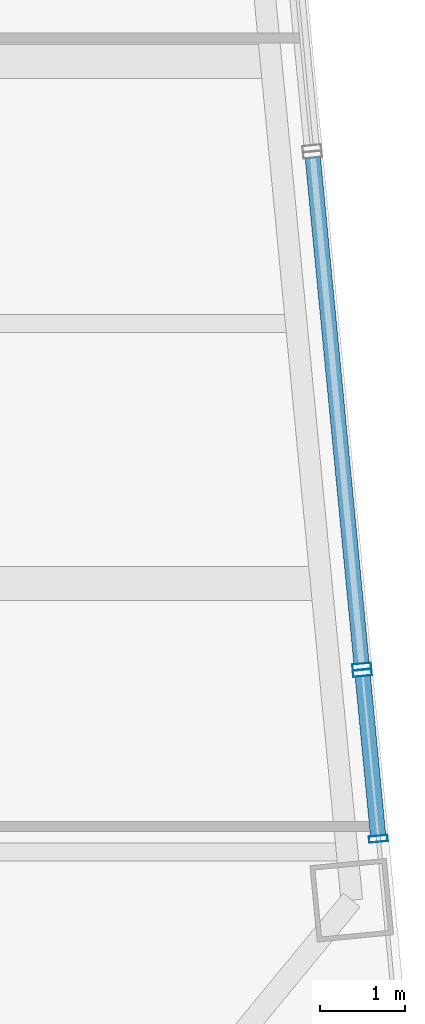
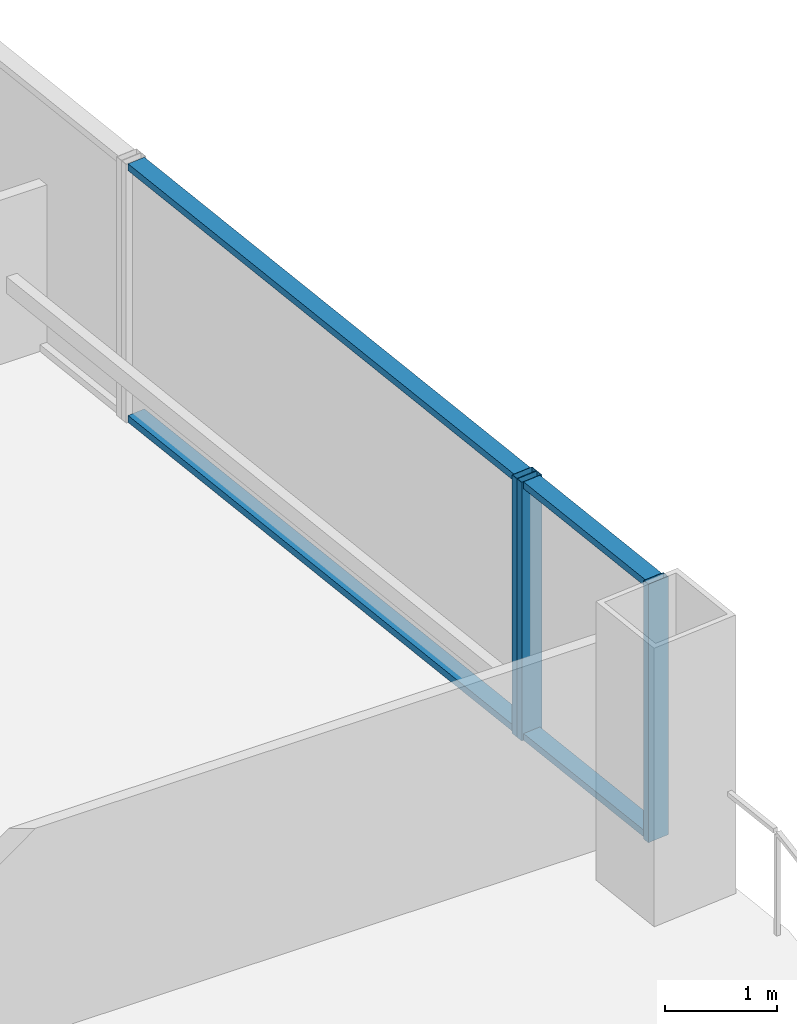
# One storey, part 15 of 34: 7 members, 2 elements without a shape of their own.
"""IFC4 building model written with IfcOpenShell, lengths in metres."""

from ifc_helpers import new_model, si_unit, direction, frame, origin, origin_2d, place, context, subcontext, project, spatial, hollow_rectangle, extrude, material, layer, layer_set, material_profile, profile_set, type_object, element, aggregate, save


model = new_model("IFC4")

# Units and contexts
model_context = context("Model", 3, precision=1e-05, world=origin(), true_north=direction((0.0, 1.0)))
body_context = subcontext(model_context, "Body", "Model", "MODEL_VIEW")
ifc_project = project(units=[si_unit("LENGTHUNIT", "METRE"), si_unit("AREAUNIT", "SQUARE_METRE"), si_unit("VOLUMEUNIT", "CUBIC_METRE"), si_unit("PLANEANGLEUNIT", "RADIAN"), si_unit("MASSUNIT", "GRAM", prefix="KILO")], contexts=[model_context])

# Site, building, storey
site_placement = place(None, origin())
site = spatial("IfcSite", under=ifc_project, at=site_placement, CompositionType="ELEMENT")
building_placement = place(site_placement, origin())
building = spatial("IfcBuilding", under=site, at=building_placement, Name="Qhalaya Broadcast Tower", CompositionType="ELEMENT")
storey_placement = place(building_placement, frame((0.0, 0.0, 78.60009765625)))
storey = spatial("IfcBuildingStorey", under=building, at=storey_placement, Name="L22", CompositionType="ELEMENT", Elevation=78.60009765625)

# Curtain wall, members
ifc_material_1 = material(Name="Solar-Control Low-E Triple Glazing", Category="glass")
ifc_layer_1 = layer(ifc_material_1, 0.219970703125, Name="Solar-Control Low-E Triple Glazing")
ifc_layer_set_1 = layer_set([ifc_layer_1], Name="Solar-Control Low-E Triple Glazing")
curtain_wall_type_1 = type_object("IfcCurtainWallType", Name="Even-Block 4-Storey Double-Module Curtain Wall CW-03", PredefinedType="NOTDEFINED", material=ifc_layer_set_1)
curtain_wall_1_placement = place(storey_placement, origin())
curtain_wall_1 = element("IfcCurtainWall", 1, at=curtain_wall_1_placement, inside=storey, type_object=curtain_wall_type_1, Name="L22 Unitised Curtain Wall L22-CW-E1", PredefinedType="NOTDEFINED")
ifc_material_2 = material(Name="Anodised Aluminium 6063-T6", Category="aluminium")
ifc_material_profile_1 = material_profile(ifc_material_2, hollow_rectangle(XDim=0.074951171875, YDim=0.219970703125, WallThickness=0.00390625, at=origin_2d()), Name="ALU-MUL 75x220x4")
ifc_profile_set_1 = profile_set([ifc_material_profile_1], Name="Anodised Aluminium 6063-T6")
member_type_1 = type_object("IfcMemberType", Name="Unitised Curtain-Wall Mullion M01", PredefinedType="MULLION", material=ifc_profile_set_1)
member_1_placement = place(storey_placement, frame((29.60498046875, -11.74462890625, 0.0), z_axis=(0.0, 0.0, 1.0), x_axis=(-0.095857964978, 0.995395022366, 0.0)))
member_1 = element("IfcMember", 2, at=member_1_placement, type_object=member_type_1, Name="CW-03 mullion 1", PredefinedType="MULLION", context=body_context, shape_type="SweptSolid", body=[
    extrude(hollow_rectangle(XDim=0.074951171875, YDim=0.219970703125, WallThickness=0.00390625, at=origin_2d()), origin(), (0.0, 0.0, 1.0), 2.829833984375),
])
member_2_placement = place(storey_placement, frame((29.417724609375, -9.799560546875, 0.0), z_axis=(0.0, 0.0, 1.0), x_axis=(-0.095857964978, 0.995395022366, 0.0)))
member_2 = element("IfcMember", 3, at=member_2_placement, type_object=member_type_1, Name="CW-03 mullion 2", PredefinedType="MULLION", context=body_context, shape_type="SweptSolid", body=[
    extrude(hollow_rectangle(XDim=0.074951171875, YDim=0.219970703125, WallThickness=0.00390625, at=origin_2d()), origin(), (0.0, 0.0, 1.0), 2.829833984375),
])

# Curtain wall, member
ifc_material_3 = material(Name="Fired Architectural Terracotta", Category="masonry")
ifc_layer_2 = layer(ifc_material_3, 0.219970703125, Name="Fired Architectural Terracotta")
ifc_layer_set_2 = layer_set([ifc_layer_2], Name="Fired Architectural Terracotta")
curtain_wall_type_2 = type_object("IfcCurtainWallType", Name="Block-Cap Unitised Terracotta Spandrel Wall CW-07", PredefinedType="NOTDEFINED", material=ifc_layer_set_2)
curtain_wall_2_placement = place(storey_placement, origin())
curtain_wall_2 = element("IfcCurtainWall", 4, at=curtain_wall_2_placement, inside=storey, type_object=curtain_wall_type_2, Name="L22 Unitised Curtain Wall L22-CW-E2", PredefinedType="NOTDEFINED")
member_3_placement = place(storey_placement, frame((29.410400390625, -9.724853515625, 0.0), z_axis=(0.0, 0.0, 1.0), x_axis=(-0.095843409779, 0.995396423945, 0.0)))
member_3 = element("IfcMember", 5, at=member_3_placement, type_object=member_type_1, Name="CW-07 mullion 1", PredefinedType="MULLION", context=body_context, shape_type="SweptSolid", body=[
    extrude(hollow_rectangle(XDim=0.074951171875, YDim=0.219970703125, WallThickness=0.00390625, at=origin_2d()), origin(), (0.0, 0.0, 1.0), 2.829833984375),
])

# Member
ifc_material_profile_2 = material_profile(ifc_material_2, hollow_rectangle(XDim=0.074951171875, YDim=0.179931640625, WallThickness=0.00390625, at=origin_2d()), Name="ALU-TRN 75x180x4")
ifc_profile_set_2 = profile_set([ifc_material_profile_2], Name="Anodised Aluminium 6063-T6")
member_type_2 = type_object("IfcMemberType", Name="Unitised Curtain-Wall Transom T01", PredefinedType="USERDEFINED", material=ifc_profile_set_2)
member_4_placement = place(storey_placement, frame((29.601318359375, -11.707275390625, 0.037353515625), z_axis=(-0.095759446563, 0.995404504909, 0.0), x_axis=(0.0, 0.0, 1.0)))
member_4 = element("IfcMember", 6, at=member_4_placement, type_object=member_type_2, Name="CW-03 transom 1.1", ObjectType="TRANSOM", PredefinedType="USERDEFINED", context=body_context, shape_type="SweptSolid", body=[
    extrude(hollow_rectangle(XDim=0.074951171875, YDim=0.179931640625, WallThickness=0.00390625, at=origin_2d()), origin(), (0.0, 0.0, 1.0), 1.87890625),
])

member_5_placement = place(storey_placement, frame((29.601318359375, -11.707275390625, 2.79248046875), z_axis=(-0.095759446563, 0.995404504909, 0.0), x_axis=(0.0, 0.0, 1.0)))
member_5 = element("IfcMember", 7, at=member_5_placement, type_object=member_type_2, Name="CW-03 transom 1.2", ObjectType="TRANSOM", PredefinedType="USERDEFINED", context=body_context, shape_type="SweptSolid", body=[
    extrude(hollow_rectangle(XDim=0.074951171875, YDim=0.179931640625, WallThickness=0.00390625, at=origin_2d()), origin(), (0.0, 0.0, 1.0), 1.87890625),
])

aggregate(curtain_wall_1, [member_1, member_2, member_4, member_5])

member_6_placement = place(storey_placement, frame((29.406982421875, -9.687744140625, 0.037353515625), z_axis=(-0.095868536792, 0.995394004228, 0.0), x_axis=(0.0, 0.0, 1.0)))
member_6 = element("IfcMember", 8, at=member_6_placement, type_object=member_type_2, Name="CW-07 transom 1.1", ObjectType="TRANSOM", PredefinedType="USERDEFINED", context=body_context, shape_type="SweptSolid", body=[
    extrude(hollow_rectangle(XDim=0.074951171875, YDim=0.179931640625, WallThickness=0.00390625, at=origin_2d()), origin(), (0.0, 0.0, 1.0), 5.958984375),
])

member_7_placement = place(storey_placement, frame((29.406982421875, -9.687744140625, 2.79248046875), z_axis=(-0.095868536792, 0.995394004228, 0.0), x_axis=(0.0, 0.0, 1.0)))
member_7 = element("IfcMember", 9, at=member_7_placement, type_object=member_type_2, Name="CW-07 transom 1.2", ObjectType="TRANSOM", PredefinedType="USERDEFINED", context=body_context, shape_type="SweptSolid", body=[
    extrude(hollow_rectangle(XDim=0.074951171875, YDim=0.179931640625, WallThickness=0.00390625, at=origin_2d()), origin(), (0.0, 0.0, 1.0), 5.958984375),
])

aggregate(curtain_wall_2, [member_3, member_6, member_7])

save(model, "model.ifc")
